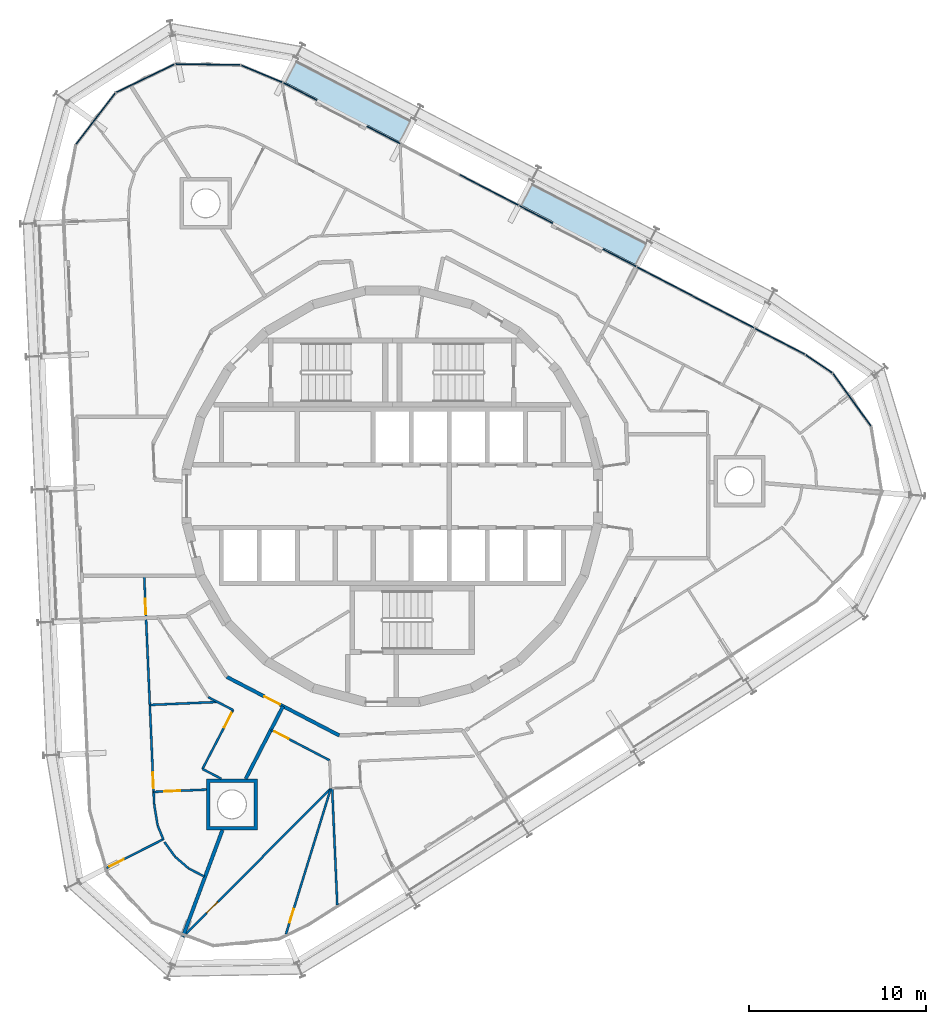
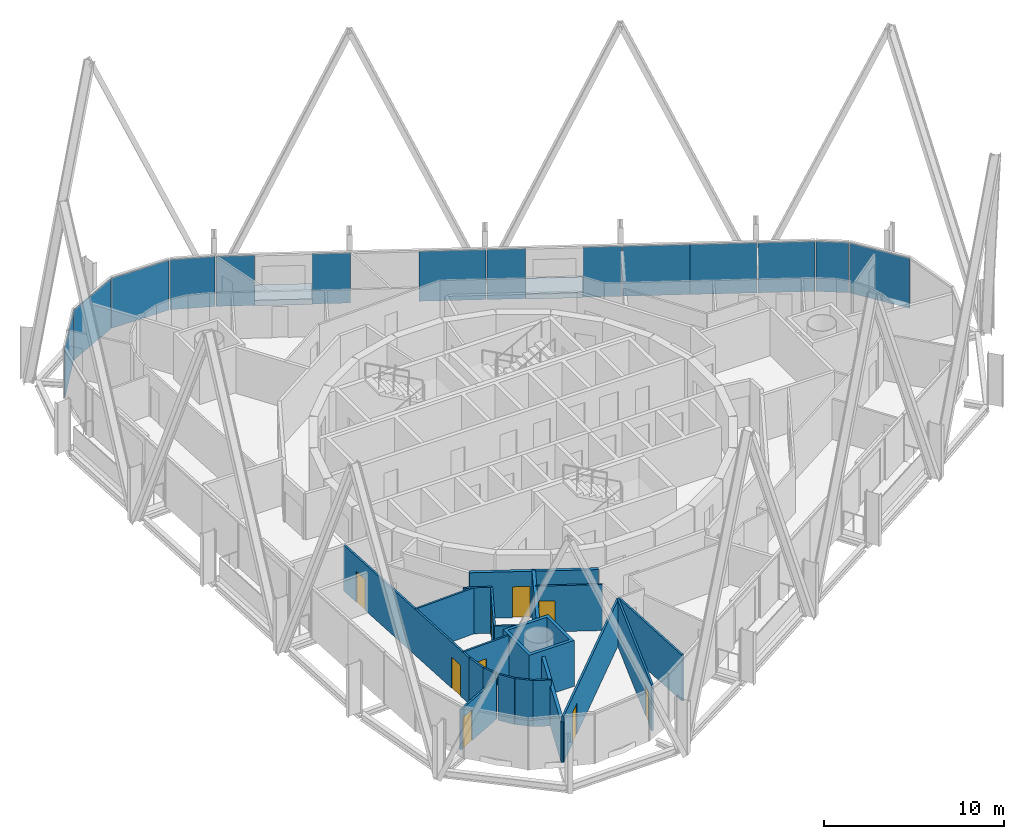
# One storey, part 11 of 18: 20 walls, 14 plates, 9 doors, 2 slabs, 9 openings, 3 elements without a shape of their own.
"""IFC4 building model written with IfcOpenShell, lengths in metres."""

from ifc_helpers import new_model, si_unit, direction, frame, frame_2d, origin, origin_2d, place, context, subcontext, project, spatial, polyline, rectangle, outline, extrude, material, layer, layer_set, type_object, element, fill, aggregate, save


model = new_model("IFC4")

# Units and contexts
model_context = context("Model", 3, precision=1e-05, world=origin(), true_north=direction((0.0, 1.0)))
body_context = subcontext(model_context, "Body", "Model", "MODEL_VIEW")
ifc_project = project(units=[si_unit("LENGTHUNIT", "METRE"), si_unit("AREAUNIT", "SQUARE_METRE"), si_unit("VOLUMEUNIT", "CUBIC_METRE"), si_unit("PLANEANGLEUNIT", "RADIAN"), si_unit("MASSUNIT", "GRAM", prefix="KILO")], contexts=[model_context])

# Site, building, storey
site_placement = place(None, origin())
site = spatial("IfcSite", under=ifc_project, at=site_placement, CompositionType="ELEMENT")
building_placement = place(site_placement, origin())
building = spatial("IfcBuilding", under=site, at=building_placement, Name="Spindle Arch Residences", CompositionType="ELEMENT")
storey_placement = place(building_placement, frame((0.0, 0.0, 240.699951171875)))
storey = spatial("IfcBuildingStorey", under=building, at=storey_placement, Name="L61", CompositionType="ELEMENT", Elevation=240.699951171875)

# Slabs
ifc_material_1 = material(Name="Concrete C40/50", Category="concrete")
ifc_layer_1 = layer(ifc_material_1, 0.3798828125)
ifc_layer_set_1 = layer_set([ifc_layer_1], Name="Balcony slab 380")
slab_type = type_object("IfcSlabType", Name="Balcony slab 380", PredefinedType="FLOOR", material=ifc_layer_set_1)
slab_1_placement = place(storey_placement, frame((0.0, 0.0, -0.3798828125)))
element("IfcSlab", 1, at=slab_1_placement, inside=storey, type_object=slab_type, Name="Balcony L61 bay 7", PredefinedType="FLOOR", context=body_context, shape_type="SweptSolid", body=[
    extrude(outline(polyline([(14.496337890625, 14.419921875), (14.429931640625, 14.45458984375), (14.360595703125, 14.321533203125), (7.947509765625, 17.659912109375), (8.0166015625, 17.79296875), (7.9501953125, 17.82763671875), (7.26220703125, 16.506103515625), (9.115966796875, 15.541015625), (9.042236328125, 15.399169921875), (11.880615234375, 13.92138671875), (11.95458984375, 14.0634765625), (13.808349609375, 13.098388671875), (14.496337890625, 14.419921875)])), origin(), (0.0, 0.0, 1.0), 0.3798828125),
])
slab_2_placement = place(storey_placement, frame((0.0, 0.0, -0.3798828125)))
element("IfcSlab", 2, at=slab_2_placement, inside=storey, type_object=slab_type, Name="Balcony L61 bay 9", PredefinedType="FLOOR", context=body_context, shape_type="SweptSolid", body=[
    extrude(outline(polyline([(1.137939453125, 21.3740234375), (1.0712890625, 21.40869140625), (1.002197265625, 21.275634765625), (-5.4111328125, 24.614013671875), (-5.341796875, 24.7470703125), (-5.408447265625, 24.78173828125), (-6.096435546875, 23.4599609375), (-4.242431640625, 22.494873046875), (-4.31640625, 22.35302734375), (-1.477783203125, 20.87548828125), (-1.404052734375, 21.017333984375), (0.449951171875, 20.05224609375), (1.137939453125, 21.3740234375)])), origin(), (0.0, 0.0, 1.0), 0.3798828125),
])

# Curtain wall, plates
ifc_material_2 = material(Name="Aluminium bronze unitised frame with tinted glass", Category="aluminium")
ifc_layer_2 = layer(ifc_material_2, 0.159912109375)
ifc_layer_set_2 = layer_set([ifc_layer_2], Name="CW-D corner wall on the fillet arcs")
curtain_wall_type_1 = type_object("IfcCurtainWallType", Name="CW-D corner wall on the fillet arcs", PredefinedType="NOTDEFINED", material=ifc_layer_set_2)
curtain_wall_1_placement = place(storey_placement, origin())
curtain_wall_1 = element("IfcCurtainWall", 3, at=curtain_wall_1_placement, inside=storey, type_object=curtain_wall_type_1, Name="CW-D L61 run 1", PredefinedType="NOTDEFINED")
ifc_material_3 = material(Name="Tinted double glazing over aluminium faced non-combustible spandrel zone (K0)", Category="aluminium")
ifc_layer_3 = layer(ifc_material_3, 0.06005859375)
ifc_layer_set_3 = layer_set([ifc_layer_3], Name="Unitised glass panel with E 60 spandrel zone")
plate_type = type_object("IfcPlateType", Name="Unitised glass panel with E 60 spandrel zone", PredefinedType="CURTAIN_PANEL", material=ifc_layer_set_3)
plate_1_placement = place(storey_placement, frame((26.024169921875, 5.460693359375, -0.3798828125), z_axis=(0.0, 0.0, 1.0), x_axis=(-0.585429431289, 0.810723368962, 0.0)))
plate_1 = element("IfcPlate", 4, at=plate_1_placement, type_object=plate_type, Name="CW-D unit 04", PredefinedType="CURTAIN_PANEL", context=body_context, shape_type="SweptSolid", body=[
    extrude(rectangle(XDim=3.666748046875, YDim=0.06005859375, at=origin_2d()), origin(), (0.0, 0.0, 1.0), 3.3798828125),
])
plate_2_placement = place(storey_placement, frame((24.156982421875, 7.498291015625, -0.3798828125), z_axis=(0.0, 0.0, 1.0), x_axis=(-0.827407441981, 0.561602105546, 0.0)))
plate_2 = element("IfcPlate", 5, at=plate_2_placement, type_object=plate_type, Name="CW-D unit 05", PredefinedType="CURTAIN_PANEL", context=body_context, shape_type="SweptSolid", body=[
    extrude(rectangle(XDim=1.816162109375, YDim=0.06005859375, at=origin_2d()), origin(), (0.0, 0.0, 1.0), 3.3798828125),
])
plate_3_placement = place(storey_placement, frame((21.948974609375, 8.770263671875, -0.3798828125), z_axis=(0.0, 0.0, 1.0), x_axis=(-0.887010833178, 0.461748613235, 0.0)))
plate_3 = element("IfcPlate", 6, at=plate_3_placement, type_object=plate_type, Name="CW-D unit 06", PredefinedType="CURTAIN_PANEL", context=body_context, shape_type="SweptSolid", body=[
    extrude(rectangle(XDim=3.16845703125, YDim=0.06005859375, at=origin_2d()), origin(), (0.0, 0.0, 1.0), 3.3798828125),
])
aggregate(curtain_wall_1, [plate_1, plate_2, plate_3])

ifc_material_4 = material(Name="Aluminium bronze unitised frame with tinted glass", Category="aluminium")
ifc_layer_4 = layer(ifc_material_4, 0.159912109375)
ifc_layer_set_4 = layer_set([ifc_layer_4], Name="CW-C typical residential unitised wall")
curtain_wall_type_2 = type_object("IfcCurtainWallType", Name="CW-C typical residential unitised wall", PredefinedType="NOTDEFINED", material=ifc_layer_set_4)
curtain_wall_2_placement = place(storey_placement, origin())
curtain_wall_2 = element("IfcCurtainWall", 7, at=curtain_wall_2_placement, inside=storey, type_object=curtain_wall_type_2, Name="CW-C L61 run 2", PredefinedType="NOTDEFINED")
plate_4_placement = place(storey_placement, frame((18.834228515625, 10.391845703125, -0.3798828125), z_axis=(0.0, 0.0, 1.0), x_axis=(-0.887010833178, 0.461748613235, 0.0)))
plate_4 = element("IfcPlate", 8, at=plate_4_placement, type_object=plate_type, Name="CW-C unit 05A", PredefinedType="CURTAIN_PANEL", context=body_context, shape_type="SweptSolid", body=[
    extrude(rectangle(XDim=3.735107421875, YDim=0.06005859375, at=origin_2d()), origin(), (0.0, 0.0, 1.0), 3.3798828125),
])
plate_5_placement = place(storey_placement, frame((15.52099609375, 12.116455078125, -0.3798828125), z_axis=(0.0, 0.0, 1.0), x_axis=(-0.887010833178, 0.461748613235, 0.0)))
plate_5 = element("IfcPlate", 9, at=plate_5_placement, type_object=plate_type, Name="CW-C unit 05B", PredefinedType="CURTAIN_PANEL", context=body_context, shape_type="SweptSolid", body=[
    extrude(rectangle(XDim=3.735107421875, YDim=0.06005859375, at=origin_2d()), origin(), (0.0, 0.0, 1.0), 3.3798828125),
])
plate_6_placement = place(storey_placement, frame((12.864501953125, 13.49951171875, -0.3798828125), z_axis=(0.0, 0.0, 1.0), x_axis=(-0.887010833178, 0.461748613235, 0.0)))
plate_6 = element("IfcPlate", 10, at=plate_6_placement, type_object=plate_type, Name="CW-C unit 06L", PredefinedType="CURTAIN_PANEL", context=body_context, shape_type="SweptSolid", body=[
    extrude(rectangle(XDim=2.135009765625, YDim=0.06005859375, at=origin_2d()), origin(), (0.0, 0.0, 1.0), 3.3798828125),
])
plate_7_placement = place(storey_placement, frame((8.13232421875, 15.962890625, -0.3798828125), z_axis=(0.0, 0.0, 1.0), x_axis=(-0.887010833178, 0.461748613235, 0.0)))
plate_7 = element("IfcPlate", 11, at=plate_7_placement, type_object=plate_type, Name="CW-C unit 06R", PredefinedType="CURTAIN_PANEL", context=body_context, shape_type="SweptSolid", body=[
    extrude(rectangle(XDim=2.135009765625, YDim=0.06005859375, at=origin_2d()), origin(), (0.0, 0.0, 1.0), 3.3798828125),
])
plate_8_placement = place(storey_placement, frame((5.4755859375, 17.345947265625, -0.3798828125), z_axis=(0.0, 0.0, 1.0), x_axis=(-0.887010833178, 0.461748613235, 0.0)))
plate_8 = element("IfcPlate", 12, at=plate_8_placement, type_object=plate_type, Name="CW-C unit 07A", PredefinedType="CURTAIN_PANEL", context=body_context, shape_type="SweptSolid", body=[
    extrude(rectangle(XDim=3.735107421875, YDim=0.06005859375, at=origin_2d()), origin(), (0.0, 0.0, 1.0), 3.3798828125),
])
plate_9_placement = place(storey_placement, frame((-0.494140625, 20.45361328125, -0.3798828125), z_axis=(0.0, 0.0, 1.0), x_axis=(-0.887010833178, 0.461748613235, 0.0)))
plate_9 = element("IfcPlate", 13, at=plate_9_placement, type_object=plate_type, Name="CW-C unit 08L", PredefinedType="CURTAIN_PANEL", context=body_context, shape_type="SweptSolid", body=[
    extrude(rectangle(XDim=2.135009765625, YDim=0.06005859375, at=origin_2d()), origin(), (0.0, 0.0, 1.0), 3.3798828125),
])
plate_10_placement = place(storey_placement, frame((-5.226318359375, 22.9169921875, -0.3798828125), z_axis=(0.0, 0.0, 1.0), x_axis=(-0.887010833178, 0.461748613235, 0.0)))
plate_10 = element("IfcPlate", 14, at=plate_10_placement, type_object=plate_type, Name="CW-C unit 08R", PredefinedType="CURTAIN_PANEL", context=body_context, shape_type="SweptSolid", body=[
    extrude(rectangle(XDim=2.135009765625, YDim=0.06005859375, at=origin_2d()), origin(), (0.0, 0.0, 1.0), 3.3798828125),
])
aggregate(curtain_wall_2, [plate_4, plate_5, plate_6, plate_7, plate_8, plate_9, plate_10])

curtain_wall_3_placement = place(storey_placement, origin())
curtain_wall_3 = element("IfcCurtainWall", 15, at=curtain_wall_3_placement, inside=storey, type_object=curtain_wall_type_1, Name="CW-D L61 run 3", PredefinedType="NOTDEFINED")
plate_11_placement = place(storey_placement, frame((-7.39501953125, 23.923095703125, -0.3798828125), z_axis=(0.0, 0.0, 1.0), x_axis=(-0.92268610302, 0.385552013734, 0.0)))
plate_11 = element("IfcPlate", 16, at=plate_11_placement, type_object=plate_type, Name="CW-D unit 00", PredefinedType="CURTAIN_PANEL", context=body_context, shape_type="SweptSolid", body=[
    extrude(rectangle(XDim=2.531005859375, YDim=0.06005859375, at=origin_2d()), origin(), (0.0, 0.0, 1.0), 3.3798828125),
])
plate_12_placement = place(storey_placement, frame((-10.45361328125, 24.44970703125, -0.3798828125), z_axis=(0.0, 0.0, 1.0), x_axis=(-0.999894231949, 0.014543896145, 0.0)))
plate_12 = element("IfcPlate", 17, at=plate_12_placement, type_object=plate_type, Name="CW-D unit 01", PredefinedType="CURTAIN_PANEL", context=body_context, shape_type="SweptSolid", body=[
    extrude(rectangle(XDim=3.666748046875, YDim=0.06005859375, at=origin_2d()), origin(), (0.0, 0.0, 1.0), 3.3798828125),
])
plate_13_placement = place(storey_placement, frame((-13.993896484375, 23.664794921875, -0.3798828125), z_axis=(0.0, 0.0, 1.0), x_axis=(-0.900065409075, -0.435754815677, 0.0)))
plate_13 = element("IfcPlate", 18, at=plate_13_placement, type_object=plate_type, Name="CW-D unit 02", PredefinedType="CURTAIN_PANEL", context=body_context, shape_type="SweptSolid", body=[
    extrude(rectangle(XDim=3.666748046875, YDim=0.06005859375, at=origin_2d()), origin(), (0.0, 0.0, 1.0), 3.3798828125),
])
plate_14_placement = place(storey_placement, frame((-16.805419921875, 21.37451171875, -0.3798828125), z_axis=(0.0, 0.0, 1.0), x_axis=(-0.60876142329, -0.793353344679, 0.0)))
plate_14 = element("IfcPlate", 19, at=plate_14_placement, type_object=plate_type, Name="CW-D unit 03", PredefinedType="CURTAIN_PANEL", context=body_context, shape_type="SweptSolid", body=[
    extrude(rectangle(XDim=3.666748046875, YDim=0.06005859375, at=origin_2d()), origin(), (0.0, 0.0, 1.0), 3.3798828125),
])
aggregate(curtain_wall_3, [plate_11, plate_12, plate_13, plate_14])

# Wall, opening, door
ifc_material_5 = material(Name="Calcium silicate block, plastered")
ifc_layer_5 = layer(ifc_material_5, 0.199951171875)
ifc_layer_set_5 = layer_set([ifc_layer_5], Name="Corridor wall 200")
wall_type_1 = type_object("IfcWallType", Name="Corridor wall 200", PredefinedType="STANDARD", material=ifc_layer_set_5)
wall_1_placement = place(storey_placement, frame((-9.372314453125, -10.22802734375, 0.0), z_axis=(0.0, 0.0, 1.0), x_axis=(0.887005184532, -0.461759464021, 0.0)))
wall_1 = element("IfcWall", 20, at=wall_1_placement, inside=storey, type_object=wall_type_1, Name="Corridor wall R6B0-W019", PredefinedType="STANDARD", context=body_context, shape_type="SweptSolid", body=[
    extrude(rectangle(XDim=7.18115234375, YDim=0.199951171875, at=frame_2d((3.590576171875, 0.0))), origin(), (0.0, 0.0, 1.0), 3.1201171875),
])
opening_1_placement = place(wall_1_placement, frame((2.390625, 0.0, 0.0)))
opening_1 = element("IfcOpeningElement", 21, at=opening_1_placement, cuts=wall_1, Name="Opening R6B0-FD04", PredefinedType="OPENING", context=body_context, shape_type="SweptSolid", body=[
    extrude(rectangle(XDim=1.0, YDim=2.10009765625, at=frame_2d((0.5, 1.050048828125))), frame((0.0, 0.10986328125, 0.0), z_axis=(0.0, -1.0, 0.0), x_axis=(1.0, 0.0, 0.0)), (0.0, 0.0, 1.0), 0.219970703125),
])
ifc_material_6 = material(Name="Timber, fire-resisting door set", Category="wood")
door_type_1 = type_object("IfcDoorType", Name="Flat entrance door 1000x2100", OperationType="NOTDEFINED", PredefinedType="DOOR", material=ifc_material_6)
door_1_placement = place(opening_1_placement, origin())
door_1 = element("IfcDoor", 22, at=door_1_placement, inside=storey, type_object=door_type_1, Name="Flat entrance door R6B0-FD04", OperationType="SINGLE_SWING_RIGHT", OverallHeight=2.10009765625, OverallWidth=1.0, PredefinedType="DOOR", context=body_context, shape_type="SweptSolid", body=[
    extrude(rectangle(XDim=1.0, YDim=2.10009765625, at=frame_2d((0.5, 1.050048828125))), frame((0.0, 0.02490234375, 0.0), z_axis=(0.0, -1.0, 0.0), x_axis=(1.0, 0.0, 0.0)), (0.0, 0.0, 1.0), 0.050048828125),
])
fill(opening_1, door_1)

# Wall, openings, doors
ifc_material_7 = material(Name="Plasterboard on steel studs", Category="steel")
ifc_layer_6 = layer(ifc_material_7, 0.1201171875)
ifc_layer_set_6 = layer_set([ifc_layer_6], Name="Flat partition 120")
wall_type_2 = type_object("IfcWallType", Name="Flat partition 120", PredefinedType="PARTITIONING", material=ifc_layer_set_6)
wall_2_placement = place(storey_placement, frame((-13.487060546875, -17.4287109375, 0.0), z_axis=(0.0, 0.0, 1.0), x_axis=(-0.043617336945, 0.999048311103, 0.0)))
wall_2 = element("IfcWall", 23, at=wall_2_placement, inside=storey, type_object=wall_type_2, Name="Flat partition R6B0-W072", PredefinedType="PARTITIONING", context=body_context, shape_type="SweptSolid", body=[
    extrude(rectangle(XDim=12.94091796875, YDim=0.1201171875, at=frame_2d((6.470458984375, 0.0))), origin(), (0.0, 0.0, 1.0), 3.1201171875),
])
opening_2_placement = place(wall_2_placement, frame((10.748779296875, 0.0, 0.0)))
opening_2 = element("IfcOpeningElement", 24, at=opening_2_placement, cuts=wall_2, Name="Opening R6B0-ID13", PredefinedType="OPENING", context=body_context, shape_type="SweptSolid", body=[
    extrude(rectangle(XDim=0.89990234375, YDim=2.10009765625, at=frame_2d((0.449951171875, 1.050048828125))), frame((0.0, 0.070068359375, 0.0), z_axis=(0.0, -1.0, 0.0), x_axis=(1.0, 0.0, 0.0)), (0.0, 0.0, 1.0), 0.14013671875),
])
opening_3_placement = place(wall_2_placement, frame((0.8916015625, 0.0, 0.0)))
opening_3 = element("IfcOpeningElement", 25, at=opening_3_placement, cuts=wall_2, Name="Opening R6B0-ID15", PredefinedType="OPENING", context=body_context, shape_type="SweptSolid", body=[
    extrude(rectangle(XDim=0.89990234375, YDim=2.10009765625, at=frame_2d((0.449951171875, 1.050048828125))), frame((0.0, 0.070068359375, 0.0), z_axis=(0.0, -1.0, 0.0), x_axis=(1.0, 0.0, 0.0)), (0.0, 0.0, 1.0), 0.14013671875),
])
ifc_material_8 = material(Name="Timber door set", Category="wood")
door_type_2 = type_object("IfcDoorType", Name="Room door 900x2100", OperationType="NOTDEFINED", PredefinedType="DOOR", material=ifc_material_8)
door_2_placement = place(opening_2_placement, origin())
door_2 = element("IfcDoor", 26, at=door_2_placement, inside=storey, type_object=door_type_2, Name="Room door R6B0-ID13", OperationType="SINGLE_SWING_LEFT", OverallHeight=2.10009765625, OverallWidth=0.89990234375, PredefinedType="DOOR", context=body_context, shape_type="SweptSolid", body=[
    extrude(rectangle(XDim=0.89990234375, YDim=2.10009765625, at=frame_2d((0.449951171875, 1.050048828125))), frame((0.0, 0.02490234375, 0.0), z_axis=(0.0, -1.0, 0.0), x_axis=(1.0, 0.0, 0.0)), (0.0, 0.0, 1.0), 0.050048828125),
])
fill(opening_2, door_2)
door_3_placement = place(opening_3_placement, origin())
door_3 = element("IfcDoor", 27, at=door_3_placement, inside=storey, type_object=door_type_2, Name="Room door R6B0-ID15", OperationType="SINGLE_SWING_RIGHT", OverallHeight=2.10009765625, OverallWidth=0.89990234375, PredefinedType="DOOR", context=body_context, shape_type="SweptSolid", body=[
    extrude(rectangle(XDim=0.89990234375, YDim=2.10009765625, at=frame_2d((0.449951171875, 1.050048828125))), frame((0.0, 0.02490234375, 0.0), z_axis=(0.0, -1.0, 0.0), x_axis=(1.0, 0.0, 0.0)), (0.0, 0.0, 1.0), 0.050048828125),
])
fill(opening_3, door_3)

# Wall
wall_3_placement = place(storey_placement, frame((-10.42138671875, -11.373046875, 0.0), z_axis=(0.0, 0.0, 1.0), x_axis=(0.887065333052, -0.461643904864, 0.0)))
element("IfcWall", 28, at=wall_3_placement, inside=storey, type_object=wall_type_2, Name="Flat partition R6B0-W074", PredefinedType="PARTITIONING", context=body_context, shape_type="SweptSolid", body=[
    extrude(rectangle(XDim=1.583984375, YDim=0.1201171875, at=frame_2d((0.7919921875, 0.0))), origin(), (0.0, 0.0, 1.0), 3.1201171875),
])

# Wall, opening, door
wall_4_placement = place(storey_placement, frame((-9.016357421875, -12.104248046875, 0.0), z_axis=(0.0, 0.0, 1.0), x_axis=(-0.4617534789, -0.887008300256, 0.0)))
wall_4 = element("IfcWall", 29, at=wall_4_placement, inside=storey, type_object=wall_type_2, Name="Flat partition R6B0-W075", PredefinedType="PARTITIONING", context=body_context, shape_type="SweptSolid", body=[
    extrude(rectangle(XDim=3.75927734375, YDim=0.1201171875, at=frame_2d((1.879638671875, 0.0))), origin(), (0.0, 0.0, 1.0), 3.1201171875),
])
opening_4_placement = place(wall_4_placement, frame((0.199951171875, 0.0, 0.0)))
opening_4 = element("IfcOpeningElement", 30, at=opening_4_placement, cuts=wall_4, Name="Opening R6B0-ID14", PredefinedType="OPENING", context=body_context, shape_type="SweptSolid", body=[
    extrude(rectangle(XDim=0.89990234375, YDim=2.10009765625, at=frame_2d((0.449951171875, 1.050048828125))), frame((0.0, 0.070068359375, 0.0), z_axis=(0.0, -1.0, 0.0), x_axis=(1.0, 0.0, 0.0)), (0.0, 0.0, 1.0), 0.14013671875),
])
door_4_placement = place(opening_4_placement, origin())
door_4 = element("IfcDoor", 31, at=door_4_placement, inside=storey, type_object=door_type_2, Name="Room door R6B0-ID14", OperationType="SINGLE_SWING_RIGHT", OverallHeight=2.10009765625, OverallWidth=0.89990234375, PredefinedType="DOOR", context=body_context, shape_type="SweptSolid", body=[
    extrude(rectangle(XDim=0.89990234375, YDim=2.10009765625, at=frame_2d((0.449951171875, 1.050048828125))), frame((0.0, 0.02490234375, 0.0), z_axis=(0.0, -1.0, 0.0), x_axis=(1.0, 0.0, 0.0)), (0.0, 0.0, 1.0), 0.050048828125),
])
fill(opening_4, door_4)

# Walls
wall_5_placement = place(storey_placement, frame((-10.752197265625, -15.438720703125, 0.0), z_axis=(0.0, 0.0, 1.0), x_axis=(0.887031383626, -0.461709134048, 0.0)))
element("IfcWall", 32, at=wall_5_placement, inside=storey, type_object=wall_type_2, Name="Flat partition R6B0-W076", PredefinedType="PARTITIONING", context=body_context, shape_type="SweptSolid", body=[
    extrude(rectangle(XDim=1.207763671875, YDim=0.1201171875, at=frame_2d((0.60400390625, 0.0))), origin(), (0.0, 0.0, 1.0), 3.1201171875),
])
wall_6_placement = place(storey_placement, frame((-13.732177734375, -11.81396484375, 0.0), z_axis=(0.0, 0.0, 1.0), x_axis=(0.999048344587, 0.043616569999, 0.0)))
element("IfcWall", 33, at=wall_6_placement, inside=storey, type_object=wall_type_2, Name="Flat partition R6B0-W077", PredefinedType="PARTITIONING", context=body_context, shape_type="SweptSolid", body=[
    extrude(rectangle(XDim=3.83984375, YDim=0.1201171875, at=frame_2d((1.919921875, 0.0))), origin(), (0.0, 0.0, 1.0), 3.1201171875),
])
wall_7_placement = place(storey_placement, frame((-12.95361328125, -19.45556640625, 0.0), z_axis=(0.0, 0.0, 1.0), x_axis=(-0.382807777256, 0.923828017367, 0.0)))
element("IfcWall", 34, at=wall_7_placement, inside=storey, type_object=wall_type_2, Name="Flat partition R6B0-W078", PredefinedType="PARTITIONING", context=body_context, shape_type="SweptSolid", body=[
    extrude(rectangle(XDim=0.882568359375, YDim=0.1201171875, at=frame_2d((0.44140625, 0.0))), origin(), (0.0, 0.0, 1.0), 3.1201171875),
])
wall_8_placement = place(storey_placement, frame((-13.29150390625, -18.64013671875, 0.0), z_axis=(0.0, 0.0, 1.0), x_axis=(-0.159363796836, 0.98721992497, 0.0)))
element("IfcWall", 35, at=wall_8_placement, inside=storey, type_object=wall_type_2, Name="Flat partition R6B0-W079", PredefinedType="PARTITIONING", context=body_context, shape_type="SweptSolid", body=[
    extrude(rectangle(XDim=1.22705078125, YDim=0.1201171875, at=frame_2d((0.613525390625, 0.0))), origin(), (0.0, 0.0, 1.0), 3.1201171875),
])

# Wall, opening, door
wall_9_placement = place(storey_placement, frame((-13.51708984375, -16.738037109375, 0.0), z_axis=(0.0, 0.0, 1.0), x_axis=(0.999047660155, 0.043632244256, 0.0)))
wall_9 = element("IfcWall", 36, at=wall_9_placement, inside=storey, type_object=wall_type_2, Name="Flat partition R6B0-W081", PredefinedType="PARTITIONING", context=body_context, shape_type="SweptSolid", body=[
    extrude(rectangle(XDim=2.988037109375, YDim=0.1201171875, at=frame_2d((1.494140625, 0.0))), origin(), (0.0, 0.0, 1.0), 3.1201171875),
])
opening_5_placement = place(wall_9_placement, frame((0.60009765625, 0.0, 0.0)))
opening_5 = element("IfcOpeningElement", 37, at=opening_5_placement, cuts=wall_9, Name="Opening R6B0-ID16", PredefinedType="OPENING", context=body_context, shape_type="SweptSolid", body=[
    extrude(rectangle(XDim=0.89990234375, YDim=2.10009765625, at=frame_2d((0.449951171875, 1.050048828125))), frame((0.0, 0.070068359375, 0.0), z_axis=(0.0, -1.0, 0.0), x_axis=(1.0, 0.0, 0.0)), (0.0, 0.0, 1.0), 0.14013671875),
])
door_5_placement = place(opening_5_placement, origin())
door_5 = element("IfcDoor", 38, at=door_5_placement, inside=storey, type_object=door_type_2, Name="Room door R6B0-ID16", OperationType="SINGLE_SWING_RIGHT", OverallHeight=2.10009765625, OverallWidth=0.89990234375, PredefinedType="DOOR", context=body_context, shape_type="SweptSolid", body=[
    extrude(rectangle(XDim=0.89990234375, YDim=2.10009765625, at=frame_2d((0.449951171875, 1.050048828125))), frame((0.0, 0.02490234375, 0.0), z_axis=(0.0, -1.0, 0.0), x_axis=(1.0, 0.0, 0.0)), (0.0, 0.0, 1.0), 0.050048828125),
])
fill(opening_5, door_5)

# Walls
for number, where, z_axis, x_axis, name in (
    (39, (-12.902587890625, -19.578857421875, 0.0), (0.0, 0.0, 1.0), (0.585481778516, -0.810685566065, 0.0), "Flat partition R6B0-W082"),
    (40, (-12.307861328125, -20.40234375, 0.0), (0.0, 0.0, 1.0), (0.756552751789, -0.653932667604, 0.0), "Flat partition R6B0-W083"),
    (41, (-11.539306640625, -21.066650390625, 0.0), (0.0, 0.0, 1.0), (0.886953051048, -0.461859594721, 0.0), "Flat partition R6B0-W084"),
):
    element("IfcWall", number, at=place(storey_placement, frame(where, z_axis=z_axis, x_axis=x_axis)), inside=storey, type_object=wall_type_2, Name=name, PredefinedType="PARTITIONING", context=body_context, shape_type="SweptSolid", body=[
        extrude(rectangle(XDim=1.015869140625, YDim=0.1201171875, at=frame_2d((0.5078125, 0.0))), origin(), (0.0, 0.0, 1.0), 3.1201171875),
    ])

# Wall, opening, door
wall_10_placement = place(storey_placement, frame((-6.861328125, -13.22607421875, 0.0), z_axis=(0.0, 0.0, 1.0), x_axis=(0.887010791097, -0.461748694073, 0.0)))
wall_10 = element("IfcWall", 42, at=wall_10_placement, inside=storey, type_object=wall_type_2, Name="Flat partition R6B0-W085", PredefinedType="PARTITIONING", context=body_context, shape_type="SweptSolid", body=[
    extrude(rectangle(XDim=3.72705078125, YDim=0.1201171875, at=frame_2d((1.863525390625, 0.0))), origin(), (0.0, 0.0, 1.0), 3.1201171875),
])
opening_6_placement = place(wall_10_placement, frame((0.199951171875, 0.0, 0.0)))
opening_6 = element("IfcOpeningElement", 43, at=opening_6_placement, cuts=wall_10, Name="Opening R6B0-ID18", PredefinedType="OPENING", context=body_context, shape_type="SweptSolid", body=[
    extrude(rectangle(XDim=0.89990234375, YDim=2.10009765625, at=frame_2d((0.449951171875, 1.050048828125))), frame((0.0, 0.070068359375, 0.0), z_axis=(0.0, -1.0, 0.0), x_axis=(1.0, 0.0, 0.0)), (0.0, 0.0, 1.0), 0.14013671875),
])
door_6_placement = place(opening_6_placement, origin())
door_6 = element("IfcDoor", 44, at=door_6_placement, inside=storey, type_object=door_type_2, Name="Room door R6B0-ID18", OperationType="SINGLE_SWING_LEFT", OverallHeight=2.10009765625, OverallWidth=0.89990234375, PredefinedType="DOOR", context=body_context, shape_type="SweptSolid", body=[
    extrude(rectangle(XDim=0.89990234375, YDim=2.10009765625, at=frame_2d((0.449951171875, 1.050048828125))), frame((0.0, 0.02490234375, 0.0), z_axis=(0.0, -1.0, 0.0), x_axis=(1.0, 0.0, 0.0)), (0.0, 0.0, 1.0), 0.050048828125),
])
fill(opening_6, door_6)

wall_11_placement = place(storey_placement, frame((-11.8623046875, -24.939697265625, 0.0), z_axis=(0.0, 0.0, 1.0), x_axis=(0.70663293894, 0.707580306117, 0.0)))
wall_11 = element("IfcWall", 45, at=wall_11_placement, inside=storey, type_object=wall_type_2, Name="Flat partition R6B0-W090", PredefinedType="PARTITIONING", context=body_context, shape_type="SweptSolid", body=[
    extrude(rectangle(XDim=11.8544921875, YDim=0.1201171875, at=frame_2d((5.92724609375, 0.0))), origin(), (0.0, 0.0, 1.0), 3.1201171875),
])
opening_7_placement = place(wall_11_placement, frame((1.89990234375, 0.0, 0.0)))
opening_7 = element("IfcOpeningElement", 46, at=opening_7_placement, cuts=wall_11, Name="Opening R6B0-ID21", PredefinedType="OPENING", context=body_context, shape_type="SweptSolid", body=[
    extrude(rectangle(XDim=0.89990234375, YDim=2.10009765625, at=frame_2d((0.449951171875, 1.050048828125))), frame((0.0, 0.070068359375, 0.0), z_axis=(0.0, -1.0, 0.0), x_axis=(1.0, 0.0, 0.0)), (0.0, 0.0, 1.0), 0.14013671875),
])
door_7_placement = place(opening_7_placement, origin())
door_7 = element("IfcDoor", 47, at=door_7_placement, inside=storey, type_object=door_type_2, Name="Room door R6B0-ID21", OperationType="SINGLE_SWING_RIGHT", OverallHeight=2.10009765625, OverallWidth=0.89990234375, PredefinedType="DOOR", context=body_context, shape_type="SweptSolid", body=[
    extrude(rectangle(XDim=0.89990234375, YDim=2.10009765625, at=frame_2d((0.449951171875, 1.050048828125))), frame((0.0, 0.02490234375, 0.0), z_axis=(0.0, -1.0, 0.0), x_axis=(1.0, 0.0, 0.0)), (0.0, 0.0, 1.0), 0.050048828125),
])
fill(opening_7, door_7)

wall_12_placement = place(storey_placement, frame((-6.02587890625, -24.794921875, 0.0), z_axis=(0.0, 0.0, 1.0), x_axis=(0.294501505058, 0.955651015548, 0.0)))
wall_12 = element("IfcWall", 48, at=wall_12_placement, inside=storey, type_object=wall_type_2, Name="Flat partition R6B0-W091", PredefinedType="PARTITIONING", context=body_context, shape_type="SweptSolid", body=[
    extrude(rectangle(XDim=8.625732421875, YDim=0.1201171875, at=frame_2d((4.31298828125, 0.0))), origin(), (0.0, 0.0, 1.0), 3.1201171875),
])
opening_8_placement = place(wall_12_placement, frame((0.699951171875, 0.0, 0.0)))
opening_8 = element("IfcOpeningElement", 49, at=opening_8_placement, cuts=wall_12, Name="Opening R6B0-BD05", PredefinedType="OPENING", context=body_context, shape_type="SweptSolid", body=[
    extrude(rectangle(XDim=0.800048828125, YDim=2.10009765625, at=frame_2d((0.39990234375, 1.050048828125))), frame((0.0, 0.070068359375, 0.0), z_axis=(0.0, -1.0, 0.0), x_axis=(1.0, 0.0, 0.0)), (0.0, 0.0, 1.0), 0.14013671875),
])
ifc_material_9 = material(Name="Timber door set", Category="wood")
door_type_3 = type_object("IfcDoorType", Name="Bathroom door 800x2100", OperationType="NOTDEFINED", PredefinedType="DOOR", material=ifc_material_9)
door_8_placement = place(opening_8_placement, origin())
door_8 = element("IfcDoor", 50, at=door_8_placement, inside=storey, type_object=door_type_3, Name="Bathroom door R6B0-BD05", OperationType="SINGLE_SWING_RIGHT", OverallHeight=2.10009765625, OverallWidth=0.800048828125, PredefinedType="DOOR", context=body_context, shape_type="SweptSolid", body=[
    extrude(rectangle(XDim=0.800048828125, YDim=2.10009765625, at=frame_2d((0.39990234375, 1.050048828125))), frame((0.0, 0.02490234375, 0.0), z_axis=(0.0, -1.0, 0.0), x_axis=(1.0, 0.0, 0.0)), (0.0, 0.0, 1.0), 0.050048828125),
])
fill(opening_8, door_8)

# Wall
wall_13_placement = place(storey_placement, frame((-3.119140625, -23.13330078125, 0.0), z_axis=(0.0, 0.0, 1.0), x_axis=(-0.043633326708, 0.99904761288, 0.0)))
element("IfcWall", 51, at=wall_13_placement, inside=storey, type_object=wall_type_2, Name="Flat partition R6B0-W092", PredefinedType="PARTITIONING", context=body_context, shape_type="SweptSolid", body=[
    extrude(rectangle(XDim=6.59130859375, YDim=0.1201171875, at=frame_2d((3.295654296875, 0.0))), origin(), (0.0, 0.0, 1.0), 3.1201171875),
])

# Wall, opening, door
ifc_material_10 = material(Name="Plasterboard on steel studs", Category="steel")
ifc_layer_7 = layer(ifc_material_10, 0.1201171875)
ifc_layer_set_7 = layer_set([ifc_layer_7], Name="Flat partition 120 under beam 2730")
wall_type_3 = type_object("IfcWallType", Name="Flat partition 120 under beam 2730", PredefinedType="PARTITIONING", material=ifc_layer_set_7)
wall_14_placement = place(storey_placement, frame((-16.18896484375, -21.05224609375, 0.0), z_axis=(0.0, 0.0, 1.0), x_axis=(0.891801938239, 0.452426019316, 0.0)))
wall_14 = element("IfcWall", 52, at=wall_14_placement, inside=storey, type_object=wall_type_3, Name="Flat partition R6B0-W080", PredefinedType="PARTITIONING", context=body_context, shape_type="SweptSolid", body=[
    extrude(rectangle(XDim=3.610595703125, YDim=0.1201171875, at=frame_2d((1.80517578125, 0.0))), origin(), (0.0, 0.0, 1.0), 2.72998046875),
])
opening_9_placement = place(wall_14_placement, frame((0.199951171875, 0.0, 0.0)))
opening_9 = element("IfcOpeningElement", 53, at=opening_9_placement, cuts=wall_14, Name="Opening R6B0-ID17", PredefinedType="OPENING", context=body_context, shape_type="SweptSolid", body=[
    extrude(rectangle(XDim=0.89990234375, YDim=2.10009765625, at=frame_2d((0.449951171875, 1.050048828125))), frame((0.0, 0.070068359375, 0.0), z_axis=(0.0, -1.0, 0.0), x_axis=(1.0, 0.0, 0.0)), (0.0, 0.0, 1.0), 0.14013671875),
])
door_9_placement = place(opening_9_placement, origin())
door_9 = element("IfcDoor", 54, at=door_9_placement, inside=storey, type_object=door_type_2, Name="Room door R6B0-ID17", OperationType="SINGLE_SWING_RIGHT", OverallHeight=2.10009765625, OverallWidth=0.89990234375, PredefinedType="DOOR", context=body_context, shape_type="SweptSolid", body=[
    extrude(rectangle(XDim=0.89990234375, YDim=2.10009765625, at=frame_2d((0.449951171875, 1.050048828125))), frame((0.0, 0.02490234375, 0.0), z_axis=(0.0, -1.0, 0.0), x_axis=(1.0, 0.0, 0.0)), (0.0, 0.0, 1.0), 0.050048828125),
])
fill(opening_9, door_9)

# Walls
ifc_material_11 = material(Name="Calcium silicate block, plastered")
ifc_layer_8 = layer(ifc_material_11, 0.199951171875)
ifc_layer_set_8 = layer_set([ifc_layer_8], Name="Flat party wall 200")
wall_type_4 = type_object("IfcWallType", Name="Flat party wall 200", PredefinedType="STANDARD", material=ifc_layer_set_8)
wall_15_placement = place(storey_placement, frame((-8.303466796875, -15.996337890625, 0.0), z_axis=(0.0, 0.0, 1.0), x_axis=(0.457702371186, 0.889105471477, 0.0)))
element("IfcWall", 55, at=wall_15_placement, inside=storey, type_object=wall_type_4, Name="Flat party wall R6B0-W035", PredefinedType="STANDARD", context=body_context, shape_type="SweptSolid", body=[
    extrude(rectangle(XDim=4.623046875, YDim=0.199951171875, at=frame_2d((2.3115234375, 0.0))), origin(), (0.0, 0.0, 1.0), 3.1201171875),
])
ifc_material_12 = material(Name="Calcium silicate block, plastered")
ifc_layer_9 = layer(ifc_material_12, 0.199951171875)
ifc_layer_set_9 = layer_set([ifc_layer_9], Name="Flat party wall 200 under beam 2730")
wall_type_5 = type_object("IfcWallType", Name="Flat party wall 200 under beam 2730", PredefinedType="STANDARD", material=ifc_layer_set_9)
wall_16_placement = place(storey_placement, frame((-11.865478515625, -24.93896484375, 0.0), z_axis=(0.0, 0.0, 1.0), x_axis=(0.348245485283, 0.937403372076, 0.0)))
element("IfcWall", 56, at=wall_16_placement, inside=storey, type_object=wall_type_5, Name="Flat party wall R6B0-W036", PredefinedType="STANDARD", context=body_context, shape_type="SweptSolid", body=[
    extrude(rectangle(XDim=6.4462890625, YDim=0.199951171875, at=frame_2d((3.22314453125, 0.0))), origin(), (0.0, 0.0, 1.0), 2.72998046875),
])
ifc_material_13 = material(Name="Calcium silicate block, plastered")
ifc_layer_10 = layer(ifc_material_13, 0.199951171875)
ifc_layer_set_10 = layer_set([ifc_layer_10], Name="Mega-column casing wall 200")
wall_type_6 = type_object("IfcWallType", Name="Mega-column casing wall 200", PredefinedType="STANDARD", material=ifc_layer_set_10)
wall_17_placement = place(storey_placement, origin())
element("IfcWall", 57, at=wall_17_placement, inside=storey, type_object=wall_type_6, Name="Mega-column casing wall R6B0-WC03", PredefinedType="STANDARD", context=body_context, shape_type="SweptSolid", body=[
    extrude(outline(polyline([(-7.632080078125, -15.996337890625), (-7.632080078125, -18.896240234375), (-10.531982421875, -18.896240234375), (-10.531982421875, -15.996337890625), (-7.632080078125, -15.996337890625)]), holes=[polyline([(-10.33203125, -18.6962890625), (-7.83203125, -18.6962890625), (-7.83203125, -16.1962890625), (-10.33203125, -16.1962890625), (-10.33203125, -18.6962890625)])]), origin(), (0.0, 0.0, 1.0), 3.1201171875),
])

save(model, "model.ifc")
